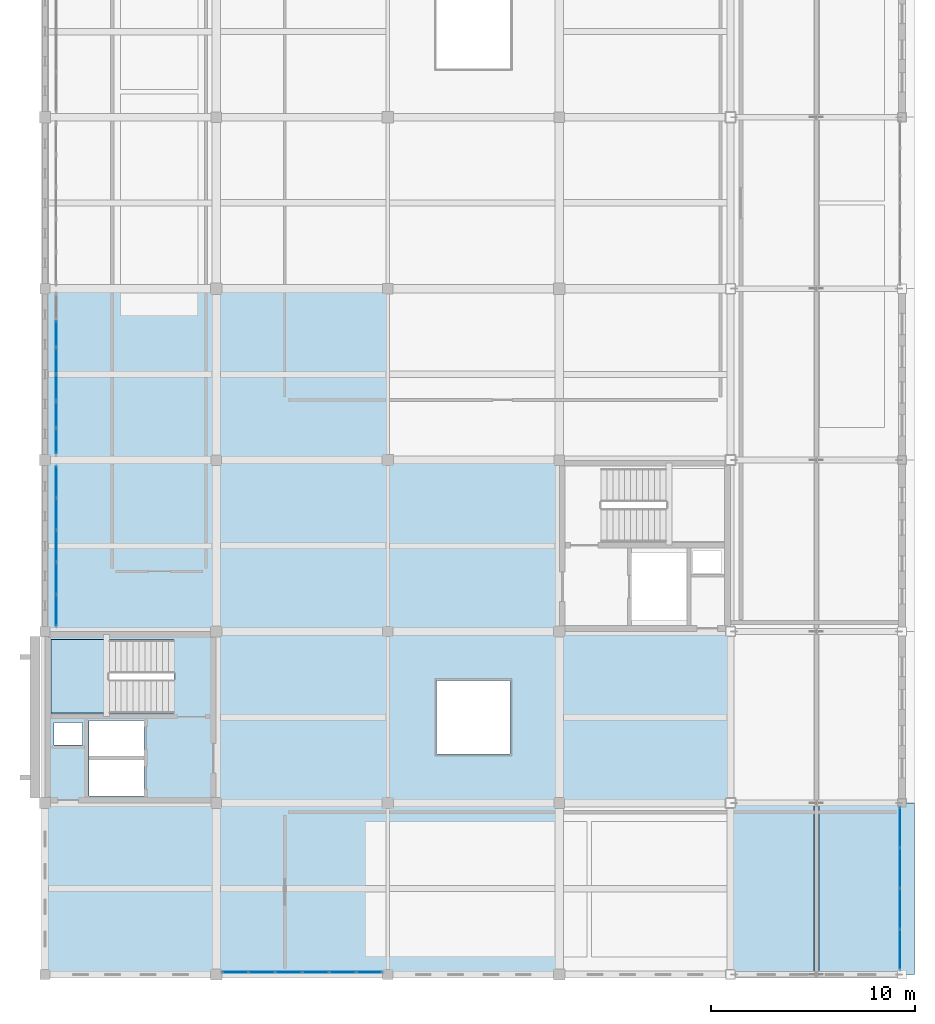
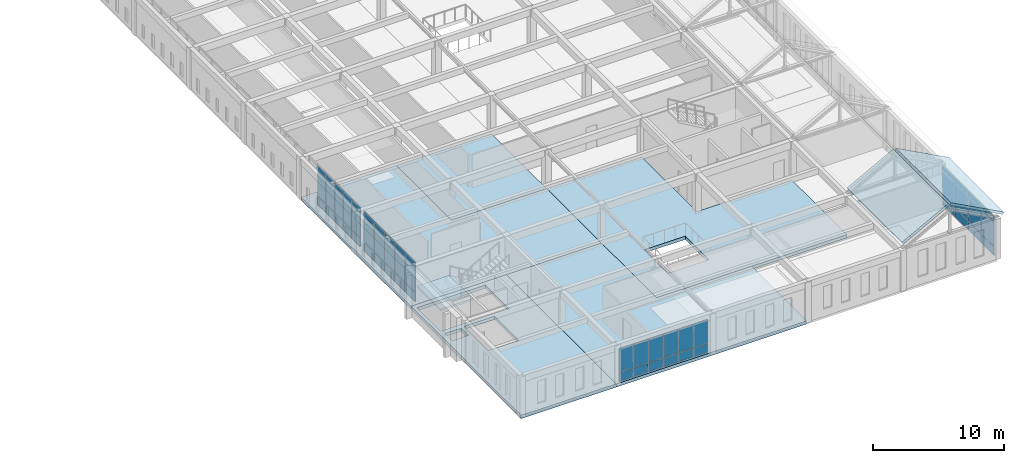
# One storey, part 19 of 36: 54 plates, 8 slabs, 5 elements without a shape of their own.
"""IFC4 building model written with IfcOpenShell, lengths in metres."""

import ifcopenshell
import ifcopenshell.guid

model = None  # the IFC model being written
_history = None  # IfcOwnerHistory: only IFC2X3 demands one
_inside = {}  # id of a spatial element -> (the spatial element, [elements in it])
_under = {}  # id of a project, library or spatial element -> (it, [spatial elements below it])
_declared = {}  # id of a project -> (the project, [libraries it declares])
_typed = {}  # id of a type object -> (the type object, [elements of that type])
_made_of = {}  # id of a material, layer set ... -> (it, [elements and type objects made of it])


def new_model(schema):
    """Start an empty IFC model of exactly this schema.

    Asked for "IFC4X3", IfcOpenShell would pick the latest addendum, in which some entities
    have other attributes; the version numbers below select the first issue.
    IFC2X3 requires an IfcOwnerHistory on every rooted entity: one is made here for all.
    """
    global model, _history
    if schema == "IFC4X3":
        model = ifcopenshell.file(schema_version=(4, 3, 0, 0))
    else:
        model = ifcopenshell.file(schema=schema)
    _inside.clear()
    _under.clear()
    _declared.clear()
    _typed.clear()
    _made_of.clear()
    _history = None
    if model.schema == "IFC2X3":
        org = make("IfcOrganization", Name="unknown")
        user = make(
            "IfcPersonAndOrganization",
            ThePerson=make("IfcPerson", FamilyName="unknown"),
            TheOrganization=org,
        )
        app = make(
            "IfcApplication",
            ApplicationDeveloper=org,
            Version="unknown",
            ApplicationFullName="unknown",
            ApplicationIdentifier="unknown",
        )
        _history = make(
            "IfcOwnerHistory",
            OwningUser=user,
            OwningApplication=app,
            ChangeAction="ADDED",
            CreationDate=0,
        )
    return model


def make(cls, **values):
    """One entity of the class cls with the attributes given. An attribute that is None is left unset."""
    return model.create_entity(
        cls, **{name: value for name, value in values.items() if value is not None}
    )


def rooted(cls, **values):
    """An entity with a GlobalId (a new one), such as an element, a storey or a relation."""
    return make(cls, GlobalId=ifcopenshell.guid.new(), OwnerHistory=_history, **values)


def si_unit(unit_type, name, prefix=None):
    """IfcSIUnit, for example si_unit("LENGTHUNIT", "METRE", prefix="MILLI")."""
    return make("IfcSIUnit", UnitType=unit_type, Prefix=prefix, Name=name)


def assignment(units):
    """IfcUnitAssignment: the units of a project."""
    return None if units is None else make("IfcUnitAssignment", Units=units)


def point(xyz):
    """IfcCartesianPoint."""
    return None if xyz is None else make("IfcCartesianPoint", Coordinates=xyz)


def direction(xyz):
    """IfcDirection."""
    return None if xyz is None else make("IfcDirection", DirectionRatios=xyz)


def frame(location, z_axis=None, x_axis=None):
    """IfcAxis2Placement3D, a coordinate frame: its origin and axes. An axis left out is left unset."""
    return make(
        "IfcAxis2Placement3D",
        Location=point(location),
        Axis=direction(z_axis),
        RefDirection=direction(x_axis),
    )


def frame_2d(location, x_axis=None):
    """IfcAxis2Placement2D, a coordinate frame in the plane: its origin and x axis."""
    return make(
        "IfcAxis2Placement2D", Location=point(location), RefDirection=direction(x_axis)
    )


def origin():
    """The frame at (0, 0, 0) with its axes left unset."""
    return frame((0.0, 0.0, 0.0))


def origin_2d():
    """The frame at (0, 0) in the plane with its x axis left unset."""
    return frame_2d((0.0, 0.0))


def place(relative_to, where):
    """IfcLocalPlacement: puts the frame where relative to a parent placement (None: the world)."""
    return make(
        "IfcLocalPlacement", PlacementRelTo=relative_to, RelativePlacement=where
    )


def context(
    kind, dimensions, precision=None, world=None, true_north=None, identifier=None
):
    """IfcGeometricRepresentationContext, for example the 3D "Model" context."""
    return make(
        "IfcGeometricRepresentationContext",
        ContextIdentifier=identifier,
        ContextType=kind,
        CoordinateSpaceDimension=dimensions,
        Precision=precision,
        WorldCoordinateSystem=world,
        TrueNorth=true_north,
    )


def subcontext(parent, identifier, kind, view, scale=None):
    """IfcGeometricRepresentationSubContext, for example "Body" below "Model"."""
    return make(
        "IfcGeometricRepresentationSubContext",
        ContextIdentifier=identifier,
        ContextType=kind,
        ParentContext=parent,
        TargetScale=scale,
        TargetView=view,
    )


def project(units=None, contexts=None):
    """IfcProject with its units and contexts."""
    return rooted(
        "IfcProject",
        Name="project",
        RepresentationContexts=contexts,
        UnitsInContext=assignment(units),
    )


def spatial(cls, under=None, at=None, **own):
    """A site, building, storey or space (cls), placed at a placement, below another one or the project."""
    s = rooted(cls, ObjectPlacement=at, **own)
    if under is not None:
        _under.setdefault(under.id(), (under, []))[1].append(s)
    return s


def polyline(points):
    """IfcPolyline through the points."""
    return make("IfcPolyline", Points=[point(p) for p in points])


def profile(cls, at=None, kind="AREA", **sizes):
    """A parametric profile (cls). Its sizes go by their IFC names, for example OverallWidth=200.0."""
    return make(cls, ProfileType=kind, Position=at, **sizes)


def rectangle(**sizes):
    """IfcRectangleProfileDef."""
    return profile("IfcRectangleProfileDef", **sizes)


def outline(outer, holes=None, kind="AREA"):
    """IfcArbitraryClosedProfileDef: a profile drawn as a closed curve; with holes, ...WithVoids."""
    if holes is None:
        return make("IfcArbitraryClosedProfileDef", ProfileType=kind, OuterCurve=outer)
    return make(
        "IfcArbitraryProfileDefWithVoids",
        ProfileType=kind,
        OuterCurve=outer,
        InnerCurves=holes,
    )


def extrude(swept, where, along, depth):
    """IfcExtrudedAreaSolid: the profile swept, set in the frame where, extruded along a direction by depth."""
    return make(
        "IfcExtrudedAreaSolid",
        SweptArea=swept,
        Position=where,
        ExtrudedDirection=direction(along),
        Depth=depth,
    )


def shape(context_of_items, identifier, shape_type, items):
    """IfcShapeRepresentation: the items that make up one representation, for example the "Body"."""
    return make(
        "IfcShapeRepresentation",
        ContextOfItems=context_of_items,
        RepresentationIdentifier=identifier,
        RepresentationType=shape_type,
        Items=items,
    )


def material(Name=None, Category=None):
    """IfcMaterial."""
    return make("IfcMaterial", Name=Name, Category=Category)


def layer(
    of_material, thickness, ventilated=None, Name=None, Category=None, Priority=None
):
    """IfcMaterialLayer: one layer of a wall or slab, of a material (None: an air gap)."""
    return make(
        "IfcMaterialLayer",
        Material=of_material,
        LayerThickness=thickness,
        IsVentilated=ventilated,
        Name=Name,
        Category=Category,
        Priority=Priority,
    )


def layer_set(layers, Name=None):
    """IfcMaterialLayerSet."""
    return make("IfcMaterialLayerSet", MaterialLayers=layers, LayerSetName=Name)


def made_of(thing, what):
    """Note that an element or type object is made of a material, layer set ...; save() writes the relation."""
    if what is not None:
        _made_of.setdefault(what.id(), (what, []))[1].append(thing)
    return thing


def type_object(cls, material=None, **own):
    """A type object (cls), such as IfcWallType, which elements share."""
    return made_of(rooted(cls, **own), material)


def element(
    cls,
    number,
    at=None,
    inside=None,
    cuts=None,
    type_object=None,
    material=None,
    context=None,
    identifier="Body",
    shape_type=None,
    held_by="IfcProductDefinitionShape",
    body=None,
    shapes=None,
    **own,
):
    """One element of the class cls, such as IfcWall. Its Tag is "e" and its number.

    at: its placement. inside: the storey or other place that contains it. cuts: it is an
    opening in that element (IfcRelVoidsElement). A single representation is given by context,
    identifier, shape_type and body (its items); several are given by shapes. held_by: the class
    of the entity that holds the representations. save() writes the other relations.
    """
    e = rooted(cls, Tag="e%d" % number, ObjectPlacement=at, **own)
    if body is not None:
        shapes = [shape(context, identifier, shape_type, body)]
    if shapes is not None:
        e.Representation = make(held_by, Representations=shapes)
    if inside is not None:
        _inside.setdefault(inside.id(), (inside, []))[1].append(e)
    if cuts is not None:
        rooted(
            "IfcRelVoidsElement", RelatingBuildingElement=cuts, RelatedOpeningElement=e
        )
    if type_object is not None:
        _typed.setdefault(type_object.id(), (type_object, []))[1].append(e)
    return made_of(e, material)


def aggregate(whole, parts):
    """IfcRelAggregates: a whole, such as a stair, and the parts it consists of."""
    return rooted("IfcRelAggregates", RelatingObject=whole, RelatedObjects=parts)


def save(model, path):
    """Write the relations noted so far, then the file.

    IfcRelAggregates (storeys below a building ...), IfcRelContainedInSpatialStructure (elements
    in a storey), IfcRelDefinesByType, IfcRelAssociatesMaterial and IfcRelDeclares: one each for
    every whole, place, type object, material and project.
    """
    for whole, parts in _under.values():
        aggregate(whole, parts)
    for where, things in _inside.values():
        rooted(
            "IfcRelContainedInSpatialStructure",
            RelatedElements=things,
            RelatingStructure=where,
        )
    for kind, things in _typed.values():
        rooted("IfcRelDefinesByType", RelatedObjects=things, RelatingType=kind)
    for what, things in _made_of.values():
        rooted("IfcRelAssociatesMaterial", RelatedObjects=things, RelatingMaterial=what)
    for by, libraries in _declared.values():
        rooted("IfcRelDeclares", RelatingContext=by, RelatedDefinitions=libraries)
    model.write(path)


model = new_model("IFC4")

# Units and contexts
model_context = context("Model", 3, precision=1e-05, world=origin(), true_north=direction((0.0, 1.0)))
body_context = subcontext(model_context, "Body", "Model", "MODEL_VIEW")
ifc_project = project(units=[si_unit("LENGTHUNIT", "METRE"), si_unit("AREAUNIT", "SQUARE_METRE"), si_unit("VOLUMEUNIT", "CUBIC_METRE"), si_unit("PLANEANGLEUNIT", "RADIAN"), si_unit("MASSUNIT", "GRAM", prefix="KILO")], contexts=[model_context])

# Site, building, storey
site_placement = place(None, origin())
site = spatial("IfcSite", under=ifc_project, at=site_placement, CompositionType="ELEMENT")
building_placement = place(site_placement, origin())
building = spatial("IfcBuilding", under=site, at=building_placement, Name="Kveldsbrygga Polytechnic", CompositionType="ELEMENT")
storey_placement = place(building_placement, frame((0.0, 0.0, 22.10009765625)))
storey = spatial("IfcBuildingStorey", under=building, at=storey_placement, Name="L05", CompositionType="ELEMENT", Elevation=22.10009765625)

# Curtain wall, plates
ifc_material_1 = material(Name="Anodised aluminium AW-6060", Category="aluminium")
ifc_layer_1 = layer(ifc_material_1, 0.179931640625)
ifc_layer_set_1 = layer_set([ifc_layer_1], Name="Anodised aluminium AW-6060")
curtain_wall_type_1 = type_object("IfcCurtainWallType", Name="CW-CONC-A", PredefinedType="USERDEFINED", material=ifc_layer_set_1)
curtain_wall_1_placement = place(storey_placement, origin())
curtain_wall_1 = element("IfcCurtainWall", 1, at=curtain_wall_1_placement, inside=storey, type_object=curtain_wall_type_1, Name="Curtain Wall CW-L05-X-16-02", ObjectType="UNITISED CURTAIN WALL", PredefinedType="USERDEFINED")
ifc_material_2 = material(Name="Insulated triple low-E glass", Category="glass")
ifc_layer_2 = layer(ifc_material_2, 0.035888671875)
ifc_layer_set_2 = layer_set([ifc_layer_2], Name="Insulated triple low-E glass")
plate_type_1 = type_object("IfcPlateType", Name="CW-PAN-VIS36", PredefinedType="CURTAIN_PANEL", material=ifc_layer_set_2)
plate_1_placement = place(storey_placement, frame((135.333740234375, 16.89990234375, 0.059814453125), z_axis=(0.0, 0.0, 1.0), x_axis=(1.0, 0.0, 0.0)))
plate_1 = element("IfcPlate", 2, at=plate_1_placement, type_object=plate_type_1, Name="CW-01 panel 1.1", PredefinedType="CURTAIN_PANEL", context=body_context, shape_type="SweptSolid", body=[
    extrude(rectangle(XDim=1.2275390625, YDim=0.035888671875, at=origin_2d()), origin(), (0.0, 0.0, 1.0), 0.81005859375),
])
plate_2_placement = place(storey_placement, frame((135.333740234375, 16.89990234375, 0.929931640625), z_axis=(0.0, 0.0, 1.0), x_axis=(1.0, 0.0, 0.0)))
plate_2 = element("IfcPlate", 3, at=plate_2_placement, type_object=plate_type_1, Name="CW-01 panel 1.2", PredefinedType="CURTAIN_PANEL", context=body_context, shape_type="SweptSolid", body=[
    extrude(rectangle(XDim=1.2275390625, YDim=0.035888671875, at=origin_2d()), origin(), (0.0, 0.0, 1.0), 2.18994140625),
])
plate_3_placement = place(storey_placement, frame((136.63623046875, 16.89990234375, 0.059814453125), z_axis=(0.0, 0.0, 1.0), x_axis=(1.0, 0.0, 0.0)))
plate_3 = element("IfcPlate", 4, at=plate_3_placement, type_object=plate_type_1, Name="CW-01 panel 2.1", PredefinedType="CURTAIN_PANEL", context=body_context, shape_type="SweptSolid", body=[
    extrude(rectangle(XDim=1.257568359375, YDim=0.035888671875, at=origin_2d()), origin(), (0.0, 0.0, 1.0), 0.81005859375),
])
plate_4_placement = place(storey_placement, frame((136.63623046875, 16.89990234375, 0.929931640625), z_axis=(0.0, 0.0, 1.0), x_axis=(1.0, 0.0, 0.0)))
plate_4 = element("IfcPlate", 5, at=plate_4_placement, type_object=plate_type_1, Name="CW-01 panel 2.2", PredefinedType="CURTAIN_PANEL", context=body_context, shape_type="SweptSolid", body=[
    extrude(rectangle(XDim=1.257568359375, YDim=0.035888671875, at=origin_2d()), origin(), (0.0, 0.0, 1.0), 2.18994140625),
])
plate_5_placement = place(storey_placement, frame((137.953857421875, 16.89990234375, 0.059814453125), z_axis=(0.0, 0.0, 1.0), x_axis=(1.0, 0.0, 0.0)))
plate_5 = element("IfcPlate", 6, at=plate_5_placement, type_object=plate_type_1, Name="CW-01 panel 3.1", PredefinedType="CURTAIN_PANEL", context=body_context, shape_type="SweptSolid", body=[
    extrude(rectangle(XDim=1.257568359375, YDim=0.035888671875, at=origin_2d()), origin(), (0.0, 0.0, 1.0), 0.81005859375),
])
plate_6_placement = place(storey_placement, frame((137.953857421875, 16.89990234375, 0.929931640625), z_axis=(0.0, 0.0, 1.0), x_axis=(1.0, 0.0, 0.0)))
plate_6 = element("IfcPlate", 7, at=plate_6_placement, type_object=plate_type_1, Name="CW-01 panel 3.2", PredefinedType="CURTAIN_PANEL", context=body_context, shape_type="SweptSolid", body=[
    extrude(rectangle(XDim=1.257568359375, YDim=0.035888671875, at=origin_2d()), origin(), (0.0, 0.0, 1.0), 2.18994140625),
])
plate_7_placement = place(storey_placement, frame((139.271240234375, 16.89990234375, 0.059814453125), z_axis=(0.0, 0.0, 1.0), x_axis=(1.0, 0.0, 0.0)))
plate_7 = element("IfcPlate", 8, at=plate_7_placement, type_object=plate_type_1, Name="CW-01 panel 4.1", PredefinedType="CURTAIN_PANEL", context=body_context, shape_type="SweptSolid", body=[
    extrude(rectangle(XDim=1.257568359375, YDim=0.035888671875, at=origin_2d()), origin(), (0.0, 0.0, 1.0), 0.81005859375),
])
plate_8_placement = place(storey_placement, frame((139.271240234375, 16.89990234375, 0.929931640625), z_axis=(0.0, 0.0, 1.0), x_axis=(1.0, 0.0, 0.0)))
plate_8 = element("IfcPlate", 9, at=plate_8_placement, type_object=plate_type_1, Name="CW-01 panel 4.2", PredefinedType="CURTAIN_PANEL", context=body_context, shape_type="SweptSolid", body=[
    extrude(rectangle(XDim=1.257568359375, YDim=0.035888671875, at=origin_2d()), origin(), (0.0, 0.0, 1.0), 2.18994140625),
])
plate_9_placement = place(storey_placement, frame((140.5888671875, 16.89990234375, 0.059814453125), z_axis=(0.0, 0.0, 1.0), x_axis=(1.0, 0.0, 0.0)))
plate_9 = element("IfcPlate", 10, at=plate_9_placement, type_object=plate_type_1, Name="CW-01 panel 5.1", PredefinedType="CURTAIN_PANEL", context=body_context, shape_type="SweptSolid", body=[
    extrude(rectangle(XDim=1.257568359375, YDim=0.035888671875, at=origin_2d()), origin(), (0.0, 0.0, 1.0), 0.81005859375),
])
plate_10_placement = place(storey_placement, frame((140.5888671875, 16.89990234375, 0.929931640625), z_axis=(0.0, 0.0, 1.0), x_axis=(1.0, 0.0, 0.0)))
plate_10 = element("IfcPlate", 11, at=plate_10_placement, type_object=plate_type_1, Name="CW-01 panel 5.2", PredefinedType="CURTAIN_PANEL", context=body_context, shape_type="SweptSolid", body=[
    extrude(rectangle(XDim=1.257568359375, YDim=0.035888671875, at=origin_2d()), origin(), (0.0, 0.0, 1.0), 2.18994140625),
])
plate_11_placement = place(storey_placement, frame((141.891357421875, 16.89990234375, 0.059814453125), z_axis=(0.0, 0.0, 1.0), x_axis=(1.0, 0.0, 0.0)))
plate_11 = element("IfcPlate", 12, at=plate_11_placement, type_object=plate_type_1, Name="CW-01 panel 6.1", PredefinedType="CURTAIN_PANEL", context=body_context, shape_type="SweptSolid", body=[
    extrude(rectangle(XDim=1.2275390625, YDim=0.035888671875, at=origin_2d()), origin(), (0.0, 0.0, 1.0), 0.81005859375),
])
plate_12_placement = place(storey_placement, frame((141.891357421875, 16.89990234375, 0.929931640625), z_axis=(0.0, 0.0, 1.0), x_axis=(1.0, 0.0, 0.0)))
plate_12 = element("IfcPlate", 13, at=plate_12_placement, type_object=plate_type_1, Name="CW-01 panel 6.2", PredefinedType="CURTAIN_PANEL", context=body_context, shape_type="SweptSolid", body=[
    extrude(rectangle(XDim=1.2275390625, YDim=0.035888671875, at=origin_2d()), origin(), (0.0, 0.0, 1.0), 2.18994140625),
])
aggregate(curtain_wall_1, [plate_1, plate_2, plate_3, plate_4, plate_5, plate_6, plate_7, plate_8, plate_9, plate_10, plate_11, plate_12])

ifc_layer_3 = layer(ifc_material_1, 0.199951171875)
ifc_layer_set_3 = layer_set([ifc_layer_3], Name="Anodised aluminium AW-6060")
curtain_wall_type_2 = type_object("IfcCurtainWallType", Name="CW-CONC-B", PredefinedType="USERDEFINED", material=ifc_layer_set_3)
curtain_wall_2_placement = place(storey_placement, origin())
curtain_wall_2 = element("IfcCurtainWall", 14, at=curtain_wall_2_placement, inside=storey, type_object=curtain_wall_type_2, Name="Curtain Wall CW-L05-Y-15-04", ObjectType="UNITISED CURTAIN WALL", PredefinedType="USERDEFINED")
ifc_layer_4 = layer(ifc_material_2, 0.0419921875)
ifc_layer_set_4 = layer_set([ifc_layer_4], Name="Insulated triple low-E glass")
plate_type_2 = type_object("IfcPlateType", Name="CW-PAN-VIS42", PredefinedType="CURTAIN_PANEL", material=ifc_layer_set_4)
plate_13_placement = place(storey_placement, frame((126.550048828125, 34.640380859375, 0.059814453125), z_axis=(0.0, 0.0, 1.0), x_axis=(0.0, 1.0, 0.0)))
plate_13 = element("IfcPlate", 15, at=plate_13_placement, type_object=plate_type_2, Name="CW-02 panel 1.1", PredefinedType="CURTAIN_PANEL", context=body_context, shape_type="SweptSolid", body=[
    extrude(rectangle(XDim=1.490966796875, YDim=0.0419921875, at=origin_2d()), origin(), (0.0, 0.0, 1.0), 0.81005859375),
])
plate_14_placement = place(storey_placement, frame((126.550048828125, 34.640380859375, 0.929931640625), z_axis=(0.0, 0.0, 1.0), x_axis=(0.0, 1.0, 0.0)))
plate_14 = element("IfcPlate", 16, at=plate_14_placement, type_object=plate_type_2, Name="CW-02 panel 1.2", PredefinedType="CURTAIN_PANEL", context=body_context, shape_type="SweptSolid", body=[
    extrude(rectangle(XDim=1.490966796875, YDim=0.0419921875, at=origin_2d()), origin(), (0.0, 0.0, 1.0), 2.27001953125),
])
plate_15_placement = place(storey_placement, frame((126.550048828125, 34.640380859375, 3.260009765625), z_axis=(0.0, 0.0, 1.0), x_axis=(0.0, 1.0, 0.0)))
plate_15 = element("IfcPlate", 17, at=plate_15_placement, type_object=plate_type_2, Name="CW-02 panel 1.3", PredefinedType="CURTAIN_PANEL", context=body_context, shape_type="SweptSolid", body=[
    extrude(rectangle(XDim=1.490966796875, YDim=0.0419921875, at=origin_2d()), origin(), (0.0, 0.0, 1.0), 0.4599609375),
])
plate_16_placement = place(storey_placement, frame((126.550048828125, 36.20654296875, 0.059814453125), z_axis=(0.0, 0.0, 1.0), x_axis=(0.0, 1.0, 0.0)))
plate_16 = element("IfcPlate", 18, at=plate_16_placement, type_object=plate_type_2, Name="CW-02 panel 2.1", PredefinedType="CURTAIN_PANEL", context=body_context, shape_type="SweptSolid", body=[
    extrude(rectangle(XDim=1.52099609375, YDim=0.0419921875, at=origin_2d()), origin(), (0.0, 0.0, 1.0), 0.81005859375),
])
plate_17_placement = place(storey_placement, frame((126.550048828125, 36.20654296875, 0.929931640625), z_axis=(0.0, 0.0, 1.0), x_axis=(0.0, 1.0, 0.0)))
plate_17 = element("IfcPlate", 19, at=plate_17_placement, type_object=plate_type_2, Name="CW-02 panel 2.2", PredefinedType="CURTAIN_PANEL", context=body_context, shape_type="SweptSolid", body=[
    extrude(rectangle(XDim=1.52099609375, YDim=0.0419921875, at=origin_2d()), origin(), (0.0, 0.0, 1.0), 2.27001953125),
])
plate_18_placement = place(storey_placement, frame((126.550048828125, 36.20654296875, 3.260009765625), z_axis=(0.0, 0.0, 1.0), x_axis=(0.0, 1.0, 0.0)))
plate_18 = element("IfcPlate", 20, at=plate_18_placement, type_object=plate_type_2, Name="CW-02 panel 2.3", PredefinedType="CURTAIN_PANEL", context=body_context, shape_type="SweptSolid", body=[
    extrude(rectangle(XDim=1.52099609375, YDim=0.0419921875, at=origin_2d()), origin(), (0.0, 0.0, 1.0), 0.4599609375),
])
plate_19_placement = place(storey_placement, frame((126.550048828125, 37.78759765625, 0.059814453125), z_axis=(0.0, 0.0, 1.0), x_axis=(0.0, 1.0, 0.0)))
plate_19 = element("IfcPlate", 21, at=plate_19_placement, type_object=plate_type_2, Name="CW-02 panel 3.1", PredefinedType="CURTAIN_PANEL", context=body_context, shape_type="SweptSolid", body=[
    extrude(rectangle(XDim=1.52099609375, YDim=0.0419921875, at=origin_2d()), origin(), (0.0, 0.0, 1.0), 0.81005859375),
])
plate_20_placement = place(storey_placement, frame((126.550048828125, 37.78759765625, 0.929931640625), z_axis=(0.0, 0.0, 1.0), x_axis=(0.0, 1.0, 0.0)))
plate_20 = element("IfcPlate", 22, at=plate_20_placement, type_object=plate_type_2, Name="CW-02 panel 3.2", PredefinedType="CURTAIN_PANEL", context=body_context, shape_type="SweptSolid", body=[
    extrude(rectangle(XDim=1.52099609375, YDim=0.0419921875, at=origin_2d()), origin(), (0.0, 0.0, 1.0), 2.27001953125),
])
plate_21_placement = place(storey_placement, frame((126.550048828125, 37.78759765625, 3.260009765625), z_axis=(0.0, 0.0, 1.0), x_axis=(0.0, 1.0, 0.0)))
plate_21 = element("IfcPlate", 23, at=plate_21_placement, type_object=plate_type_2, Name="CW-02 panel 3.3", PredefinedType="CURTAIN_PANEL", context=body_context, shape_type="SweptSolid", body=[
    extrude(rectangle(XDim=1.52099609375, YDim=0.0419921875, at=origin_2d()), origin(), (0.0, 0.0, 1.0), 0.4599609375),
])
plate_22_placement = place(storey_placement, frame((126.550048828125, 39.368408203125, 0.059814453125), z_axis=(0.0, 0.0, 1.0), x_axis=(0.0, 1.0, 0.0)))
plate_22 = element("IfcPlate", 24, at=plate_22_placement, type_object=plate_type_2, Name="CW-02 panel 4.1", PredefinedType="CURTAIN_PANEL", context=body_context, shape_type="SweptSolid", body=[
    extrude(rectangle(XDim=1.52099609375, YDim=0.0419921875, at=origin_2d()), origin(), (0.0, 0.0, 1.0), 0.81005859375),
])
plate_23_placement = place(storey_placement, frame((126.550048828125, 39.368408203125, 0.929931640625), z_axis=(0.0, 0.0, 1.0), x_axis=(0.0, 1.0, 0.0)))
plate_23 = element("IfcPlate", 25, at=plate_23_placement, type_object=plate_type_2, Name="CW-02 panel 4.2", PredefinedType="CURTAIN_PANEL", context=body_context, shape_type="SweptSolid", body=[
    extrude(rectangle(XDim=1.52099609375, YDim=0.0419921875, at=origin_2d()), origin(), (0.0, 0.0, 1.0), 2.27001953125),
])
plate_24_placement = place(storey_placement, frame((126.550048828125, 39.368408203125, 3.260009765625), z_axis=(0.0, 0.0, 1.0), x_axis=(0.0, 1.0, 0.0)))
plate_24 = element("IfcPlate", 26, at=plate_24_placement, type_object=plate_type_2, Name="CW-02 panel 4.3", PredefinedType="CURTAIN_PANEL", context=body_context, shape_type="SweptSolid", body=[
    extrude(rectangle(XDim=1.52099609375, YDim=0.0419921875, at=origin_2d()), origin(), (0.0, 0.0, 1.0), 0.4599609375),
])
plate_25_placement = place(storey_placement, frame((126.550048828125, 40.9345703125, 0.059814453125), z_axis=(0.0, 0.0, 1.0), x_axis=(0.0, 1.0, 0.0)))
plate_25 = element("IfcPlate", 27, at=plate_25_placement, type_object=plate_type_2, Name="CW-02 panel 5.1", PredefinedType="CURTAIN_PANEL", context=body_context, shape_type="SweptSolid", body=[
    extrude(rectangle(XDim=1.490966796875, YDim=0.0419921875, at=origin_2d()), origin(), (0.0, 0.0, 1.0), 0.81005859375),
])
plate_26_placement = place(storey_placement, frame((126.550048828125, 40.9345703125, 0.929931640625), z_axis=(0.0, 0.0, 1.0), x_axis=(0.0, 1.0, 0.0)))
plate_26 = element("IfcPlate", 28, at=plate_26_placement, type_object=plate_type_2, Name="CW-02 panel 5.2", PredefinedType="CURTAIN_PANEL", context=body_context, shape_type="SweptSolid", body=[
    extrude(rectangle(XDim=1.490966796875, YDim=0.0419921875, at=origin_2d()), origin(), (0.0, 0.0, 1.0), 2.27001953125),
])
plate_27_placement = place(storey_placement, frame((126.550048828125, 40.9345703125, 3.260009765625), z_axis=(0.0, 0.0, 1.0), x_axis=(0.0, 1.0, 0.0)))
plate_27 = element("IfcPlate", 29, at=plate_27_placement, type_object=plate_type_2, Name="CW-02 panel 5.3", PredefinedType="CURTAIN_PANEL", context=body_context, shape_type="SweptSolid", body=[
    extrude(rectangle(XDim=1.490966796875, YDim=0.0419921875, at=origin_2d()), origin(), (0.0, 0.0, 1.0), 0.4599609375),
])
aggregate(curtain_wall_2, [plate_13, plate_14, plate_15, plate_16, plate_17, plate_18, plate_19, plate_20, plate_21, plate_22, plate_23, plate_24, plate_25, plate_26, plate_27])

ifc_layer_5 = layer(ifc_material_1, 0.199951171875)
ifc_layer_set_5 = layer_set([ifc_layer_5], Name="Anodised aluminium AW-6060")
curtain_wall_type_3 = type_object("IfcCurtainWallType", Name="CW-LANC-E", PredefinedType="USERDEFINED", material=ifc_layer_set_5)
curtain_wall_3_placement = place(storey_placement, origin())
curtain_wall_3 = element("IfcCurtainWall", 30, at=curtain_wall_3_placement, inside=storey, type_object=curtain_wall_type_3, Name="Curtain Wall CW-L05-Y-20-02", ObjectType="UNITISED CURTAIN WALL", PredefinedType="USERDEFINED")
plate_28_placement = place(storey_placement, frame((167.89990234375, 18.025634765625, 0.059814453125), z_axis=(0.0, 0.0, 1.0), x_axis=(0.0, 1.0, 0.0)))
plate_28 = element("IfcPlate", 31, at=plate_28_placement, type_object=plate_type_2, Name="CW-05 panel 1.1", PredefinedType="CURTAIN_PANEL", context=body_context, shape_type="SweptSolid", body=[
    extrude(rectangle(XDim=1.9111328125, YDim=0.0419921875, at=origin_2d()), origin(), (0.0, 0.0, 1.0), 0.81005859375),
])
plate_29_placement = place(storey_placement, frame((167.89990234375, 18.025634765625, 0.929931640625), z_axis=(0.0, 0.0, 1.0), x_axis=(0.0, 1.0, 0.0)))
plate_29 = element("IfcPlate", 32, at=plate_29_placement, type_object=plate_type_2, Name="CW-05 panel 1.2", PredefinedType="CURTAIN_PANEL", context=body_context, shape_type="SweptSolid", body=[
    extrude(rectangle(XDim=1.9111328125, YDim=0.0419921875, at=origin_2d()), origin(), (0.0, 0.0, 1.0), 2.27001953125),
])
plate_30_placement = place(storey_placement, frame((167.89990234375, 18.025634765625, 3.260009765625), z_axis=(0.0, 0.0, 1.0), x_axis=(0.0, 1.0, 0.0)))
plate_30 = element("IfcPlate", 33, at=plate_30_placement, type_object=plate_type_2, Name="CW-05 panel 1.3", PredefinedType="CURTAIN_PANEL", context=body_context, shape_type="SweptSolid", body=[
    extrude(rectangle(XDim=1.9111328125, YDim=0.0419921875, at=origin_2d()), origin(), (0.0, 0.0, 1.0), 0.4599609375),
])
plate_31_placement = place(storey_placement, frame((167.89990234375, 20.011962890625, 0.059814453125), z_axis=(0.0, 0.0, 1.0), x_axis=(0.0, 1.0, 0.0)))
plate_31 = element("IfcPlate", 34, at=plate_31_placement, type_object=plate_type_2, Name="CW-05 panel 2.1", PredefinedType="CURTAIN_PANEL", context=body_context, shape_type="SweptSolid", body=[
    extrude(rectangle(XDim=1.941162109375, YDim=0.0419921875, at=origin_2d()), origin(), (0.0, 0.0, 1.0), 0.81005859375),
])
plate_32_placement = place(storey_placement, frame((167.89990234375, 20.011962890625, 0.929931640625), z_axis=(0.0, 0.0, 1.0), x_axis=(0.0, 1.0, 0.0)))
plate_32 = element("IfcPlate", 35, at=plate_32_placement, type_object=plate_type_2, Name="CW-05 panel 2.2", PredefinedType="CURTAIN_PANEL", context=body_context, shape_type="SweptSolid", body=[
    extrude(rectangle(XDim=1.941162109375, YDim=0.0419921875, at=origin_2d()), origin(), (0.0, 0.0, 1.0), 2.27001953125),
])
plate_33_placement = place(storey_placement, frame((167.89990234375, 20.011962890625, 3.260009765625), z_axis=(0.0, 0.0, 1.0), x_axis=(0.0, 1.0, 0.0)))
plate_33 = element("IfcPlate", 36, at=plate_33_placement, type_object=plate_type_2, Name="CW-05 panel 2.3", PredefinedType="CURTAIN_PANEL", context=body_context, shape_type="SweptSolid", body=[
    extrude(rectangle(XDim=1.941162109375, YDim=0.0419921875, at=origin_2d()), origin(), (0.0, 0.0, 1.0), 0.4599609375),
])
plate_34_placement = place(storey_placement, frame((167.89990234375, 22.01318359375, 0.059814453125), z_axis=(0.0, 0.0, 1.0), x_axis=(0.0, 1.0, 0.0)))
plate_34 = element("IfcPlate", 37, at=plate_34_placement, type_object=plate_type_2, Name="CW-05 panel 3.1", PredefinedType="CURTAIN_PANEL", context=body_context, shape_type="SweptSolid", body=[
    extrude(rectangle(XDim=1.941162109375, YDim=0.0419921875, at=origin_2d()), origin(), (0.0, 0.0, 1.0), 0.81005859375),
])
plate_35_placement = place(storey_placement, frame((167.89990234375, 22.01318359375, 0.929931640625), z_axis=(0.0, 0.0, 1.0), x_axis=(0.0, 1.0, 0.0)))
plate_35 = element("IfcPlate", 38, at=plate_35_placement, type_object=plate_type_2, Name="CW-05 panel 3.2", PredefinedType="CURTAIN_PANEL", context=body_context, shape_type="SweptSolid", body=[
    extrude(rectangle(XDim=1.941162109375, YDim=0.0419921875, at=origin_2d()), origin(), (0.0, 0.0, 1.0), 2.27001953125),
])
plate_36_placement = place(storey_placement, frame((167.89990234375, 22.01318359375, 3.260009765625), z_axis=(0.0, 0.0, 1.0), x_axis=(0.0, 1.0, 0.0)))
plate_36 = element("IfcPlate", 39, at=plate_36_placement, type_object=plate_type_2, Name="CW-05 panel 3.3", PredefinedType="CURTAIN_PANEL", context=body_context, shape_type="SweptSolid", body=[
    extrude(rectangle(XDim=1.941162109375, YDim=0.0419921875, at=origin_2d()), origin(), (0.0, 0.0, 1.0), 0.4599609375),
])
plate_37_placement = place(storey_placement, frame((167.89990234375, 23.999267578125, 0.059814453125), z_axis=(0.0, 0.0, 1.0), x_axis=(0.0, 1.0, 0.0)))
plate_37 = element("IfcPlate", 40, at=plate_37_placement, type_object=plate_type_2, Name="CW-05 panel 4.1", PredefinedType="CURTAIN_PANEL", context=body_context, shape_type="SweptSolid", body=[
    extrude(rectangle(XDim=1.9111328125, YDim=0.0419921875, at=origin_2d()), origin(), (0.0, 0.0, 1.0), 0.81005859375),
])
plate_38_placement = place(storey_placement, frame((167.89990234375, 23.999267578125, 0.929931640625), z_axis=(0.0, 0.0, 1.0), x_axis=(0.0, 1.0, 0.0)))
plate_38 = element("IfcPlate", 41, at=plate_38_placement, type_object=plate_type_2, Name="CW-05 panel 4.2", PredefinedType="CURTAIN_PANEL", context=body_context, shape_type="SweptSolid", body=[
    extrude(rectangle(XDim=1.9111328125, YDim=0.0419921875, at=origin_2d()), origin(), (0.0, 0.0, 1.0), 2.27001953125),
])
plate_39_placement = place(storey_placement, frame((167.89990234375, 23.999267578125, 3.260009765625), z_axis=(0.0, 0.0, 1.0), x_axis=(0.0, 1.0, 0.0)))
plate_39 = element("IfcPlate", 42, at=plate_39_placement, type_object=plate_type_2, Name="CW-05 panel 4.3", PredefinedType="CURTAIN_PANEL", context=body_context, shape_type="SweptSolid", body=[
    extrude(rectangle(XDim=1.9111328125, YDim=0.0419921875, at=origin_2d()), origin(), (0.0, 0.0, 1.0), 0.4599609375),
])
aggregate(curtain_wall_3, [plate_28, plate_29, plate_30, plate_31, plate_32, plate_33, plate_34, plate_35, plate_36, plate_37, plate_38, plate_39])

ifc_layer_6 = layer(ifc_material_1, 0.159912109375)
ifc_layer_set_6 = layer_set([ifc_layer_6], Name="Anodised aluminium AW-6060")
curtain_wall_type_4 = type_object("IfcCurtainWallType", Name="CW-CLER-C", PredefinedType="USERDEFINED", material=ifc_layer_set_6)
curtain_wall_4_placement = place(storey_placement, origin())
curtain_wall_4 = element("IfcCurtainWall", 43, at=curtain_wall_4_placement, inside=storey, type_object=curtain_wall_type_4, Name="Curtain Wall CW-L05-Y-15-05", ObjectType="STICK CURTAIN WALL", PredefinedType="USERDEFINED")
ifc_layer_7 = layer(ifc_material_2, 0.048095703125)
ifc_layer_set_7 = layer_set([ifc_layer_7], Name="Insulated triple low-E glass")
plate_type_3 = type_object("IfcPlateType", Name="CW-PAN-VIS48", PredefinedType="CURTAIN_PANEL", material=ifc_layer_set_7)
plate_40_placement = place(storey_placement, frame((126.550048828125, 42.9375, 0.074951171875), z_axis=(0.0, 0.0, 1.0), x_axis=(0.0, 1.0, 0.0)))
plate_40 = element("IfcPlate", 44, at=plate_40_placement, type_object=plate_type_3, Name="CW-03 panel 1.1", PredefinedType="CURTAIN_PANEL", context=body_context, shape_type="SweptSolid", body=[
    extrude(rectangle(XDim=1.205078125, YDim=0.048095703125, at=origin_2d()), origin(), (0.0, 0.0, 1.0), 0.78759765625),
])
plate_41_placement = place(storey_placement, frame((126.550048828125, 42.9375, 0.9375), z_axis=(0.0, 0.0, 1.0), x_axis=(0.0, 1.0, 0.0)))
plate_41 = element("IfcPlate", 45, at=plate_41_placement, type_object=plate_type_3, Name="CW-03 panel 1.2", PredefinedType="CURTAIN_PANEL", context=body_context, shape_type="SweptSolid", body=[
    extrude(rectangle(XDim=1.205078125, YDim=0.048095703125, at=origin_2d()), origin(), (0.0, 0.0, 1.0), 2.2548828125),
])
plate_42_placement = place(storey_placement, frame((126.550048828125, 42.9375, 3.267333984375), z_axis=(0.0, 0.0, 1.0), x_axis=(0.0, 1.0, 0.0)))
plate_42 = element("IfcPlate", 46, at=plate_42_placement, type_object=plate_type_3, Name="CW-03 panel 1.3", PredefinedType="CURTAIN_PANEL", context=body_context, shape_type="SweptSolid", body=[
    extrude(rectangle(XDim=1.205078125, YDim=0.048095703125, at=origin_2d()), origin(), (0.0, 0.0, 1.0), 0.4375),
])
plate_43_placement = place(storey_placement, frame((126.550048828125, 44.236328125, 0.074951171875), z_axis=(0.0, 0.0, 1.0), x_axis=(0.0, 1.0, 0.0)))
plate_43 = element("IfcPlate", 47, at=plate_43_placement, type_object=plate_type_3, Name="CW-03 panel 2.1", PredefinedType="CURTAIN_PANEL", context=body_context, shape_type="SweptSolid", body=[
    extrude(rectangle(XDim=1.242431640625, YDim=0.048095703125, at=origin_2d()), origin(), (0.0, 0.0, 1.0), 0.78759765625),
])
plate_44_placement = place(storey_placement, frame((126.550048828125, 44.236328125, 0.9375), z_axis=(0.0, 0.0, 1.0), x_axis=(0.0, 1.0, 0.0)))
plate_44 = element("IfcPlate", 48, at=plate_44_placement, type_object=plate_type_3, Name="CW-03 panel 2.2", PredefinedType="CURTAIN_PANEL", context=body_context, shape_type="SweptSolid", body=[
    extrude(rectangle(XDim=1.242431640625, YDim=0.048095703125, at=origin_2d()), origin(), (0.0, 0.0, 1.0), 2.2548828125),
])
plate_45_placement = place(storey_placement, frame((126.550048828125, 44.236328125, 3.267333984375), z_axis=(0.0, 0.0, 1.0), x_axis=(0.0, 1.0, 0.0)))
plate_45 = element("IfcPlate", 49, at=plate_45_placement, type_object=plate_type_3, Name="CW-03 panel 2.3", PredefinedType="CURTAIN_PANEL", context=body_context, shape_type="SweptSolid", body=[
    extrude(rectangle(XDim=1.242431640625, YDim=0.048095703125, at=origin_2d()), origin(), (0.0, 0.0, 1.0), 0.4375),
])
plate_46_placement = place(storey_placement, frame((126.550048828125, 45.5537109375, 0.074951171875), z_axis=(0.0, 0.0, 1.0), x_axis=(0.0, 1.0, 0.0)))
plate_46 = element("IfcPlate", 50, at=plate_46_placement, type_object=plate_type_3, Name="CW-03 panel 3.1", PredefinedType="CURTAIN_PANEL", context=body_context, shape_type="SweptSolid", body=[
    extrude(rectangle(XDim=1.242431640625, YDim=0.048095703125, at=origin_2d()), origin(), (0.0, 0.0, 1.0), 0.78759765625),
])
plate_47_placement = place(storey_placement, frame((126.550048828125, 45.5537109375, 0.9375), z_axis=(0.0, 0.0, 1.0), x_axis=(0.0, 1.0, 0.0)))
plate_47 = element("IfcPlate", 51, at=plate_47_placement, type_object=plate_type_3, Name="CW-03 panel 3.2", PredefinedType="CURTAIN_PANEL", context=body_context, shape_type="SweptSolid", body=[
    extrude(rectangle(XDim=1.242431640625, YDim=0.048095703125, at=origin_2d()), origin(), (0.0, 0.0, 1.0), 2.2548828125),
])
plate_48_placement = place(storey_placement, frame((126.550048828125, 45.5537109375, 3.267333984375), z_axis=(0.0, 0.0, 1.0), x_axis=(0.0, 1.0, 0.0)))
plate_48 = element("IfcPlate", 52, at=plate_48_placement, type_object=plate_type_3, Name="CW-03 panel 3.3", PredefinedType="CURTAIN_PANEL", context=body_context, shape_type="SweptSolid", body=[
    extrude(rectangle(XDim=1.242431640625, YDim=0.048095703125, at=origin_2d()), origin(), (0.0, 0.0, 1.0), 0.4375),
])
plate_49_placement = place(storey_placement, frame((126.550048828125, 46.871337890625, 0.074951171875), z_axis=(0.0, 0.0, 1.0), x_axis=(0.0, 1.0, 0.0)))
plate_49 = element("IfcPlate", 53, at=plate_49_placement, type_object=plate_type_3, Name="CW-03 panel 4.1", PredefinedType="CURTAIN_PANEL", context=body_context, shape_type="SweptSolid", body=[
    extrude(rectangle(XDim=1.242431640625, YDim=0.048095703125, at=origin_2d()), origin(), (0.0, 0.0, 1.0), 0.78759765625),
])
plate_50_placement = place(storey_placement, frame((126.550048828125, 46.871337890625, 0.9375), z_axis=(0.0, 0.0, 1.0), x_axis=(0.0, 1.0, 0.0)))
plate_50 = element("IfcPlate", 54, at=plate_50_placement, type_object=plate_type_3, Name="CW-03 panel 4.2", PredefinedType="CURTAIN_PANEL", context=body_context, shape_type="SweptSolid", body=[
    extrude(rectangle(XDim=1.242431640625, YDim=0.048095703125, at=origin_2d()), origin(), (0.0, 0.0, 1.0), 2.2548828125),
])
plate_51_placement = place(storey_placement, frame((126.550048828125, 46.871337890625, 3.267333984375), z_axis=(0.0, 0.0, 1.0), x_axis=(0.0, 1.0, 0.0)))
plate_51 = element("IfcPlate", 55, at=plate_51_placement, type_object=plate_type_3, Name="CW-03 panel 4.3", PredefinedType="CURTAIN_PANEL", context=body_context, shape_type="SweptSolid", body=[
    extrude(rectangle(XDim=1.242431640625, YDim=0.048095703125, at=origin_2d()), origin(), (0.0, 0.0, 1.0), 0.4375),
])
plate_52_placement = place(storey_placement, frame((126.550048828125, 48.188720703125, 0.074951171875), z_axis=(0.0, 0.0, 1.0), x_axis=(0.0, 1.0, 0.0)))
plate_52 = element("IfcPlate", 56, at=plate_52_placement, type_object=plate_type_3, Name="CW-03 panel 5.1", PredefinedType="CURTAIN_PANEL", context=body_context, shape_type="SweptSolid", body=[
    extrude(rectangle(XDim=1.242431640625, YDim=0.048095703125, at=origin_2d()), origin(), (0.0, 0.0, 1.0), 0.78759765625),
])
plate_53_placement = place(storey_placement, frame((126.550048828125, 48.188720703125, 0.9375), z_axis=(0.0, 0.0, 1.0), x_axis=(0.0, 1.0, 0.0)))
plate_53 = element("IfcPlate", 57, at=plate_53_placement, type_object=plate_type_3, Name="CW-03 panel 5.2", PredefinedType="CURTAIN_PANEL", context=body_context, shape_type="SweptSolid", body=[
    extrude(rectangle(XDim=1.242431640625, YDim=0.048095703125, at=origin_2d()), origin(), (0.0, 0.0, 1.0), 2.2548828125),
])
plate_54_placement = place(storey_placement, frame((126.550048828125, 48.188720703125, 3.267333984375), z_axis=(0.0, 0.0, 1.0), x_axis=(0.0, 1.0, 0.0)))
plate_54 = element("IfcPlate", 58, at=plate_54_placement, type_object=plate_type_3, Name="CW-03 panel 5.3", PredefinedType="CURTAIN_PANEL", context=body_context, shape_type="SweptSolid", body=[
    extrude(rectangle(XDim=1.242431640625, YDim=0.048095703125, at=origin_2d()), origin(), (0.0, 0.0, 1.0), 0.4375),
])
aggregate(curtain_wall_4, [plate_40, plate_41, plate_42, plate_43, plate_44, plate_45, plate_46, plate_47, plate_48, plate_49, plate_50, plate_51, plate_52, plate_53, plate_54])

# Slabs
ifc_material_3 = material(Name="Concrete C35/45", Category="concrete")
ifc_layer_8 = layer(ifc_material_3, 0.300048828125)
ifc_layer_set_8 = layer_set([ifc_layer_8], Name="Concrete C35/45")
slab_type_1 = type_object("IfcSlabType", Name="SLB-LAB-300", PredefinedType="FLOOR", material=ifc_layer_set_8)
slab_1_placement = place(storey_placement, frame((0.0, 0.0, -0.300048828125)))
element("IfcSlab", 59, at=slab_1_placement, inside=storey, type_object=slab_type_1, Name="Slab SLB-L05-V4-L01-1", PredefinedType="FLOOR", context=body_context, shape_type="SweptSolid", body=[
    extrude(outline(polyline([(126.0, 33.60009765625), (126.0, 42.0), (126.0, 50.39990234375), (134.39990234375, 50.39990234375), (134.39990234375, 42.0), (142.800048828125, 42.0), (142.800048828125, 33.60009765625), (134.39990234375, 33.60009765625), (126.0, 33.60009765625)])), origin(), (0.0, 0.0, 1.0), 0.300048828125),
])
slab_2_placement = place(storey_placement, frame((0.0, 0.0, -0.300048828125)))
element("IfcSlab", 60, at=slab_2_placement, inside=storey, type_object=slab_type_1, Name="Slab SLB-L05-V4-L04-1", PredefinedType="FLOOR", context=body_context, shape_type="SweptSolid", body=[
    extrude(outline(polyline([(134.39990234375, 16.800048828125), (134.39990234375, 25.199951171875), (134.39990234375, 33.60009765625), (142.800048828125, 33.60009765625), (142.800048828125, 25.199951171875), (151.199951171875, 25.199951171875), (151.199951171875, 16.800048828125), (142.800048828125, 16.800048828125), (134.39990234375, 16.800048828125)])), origin(), (0.0, 0.0, 1.0), 0.300048828125),
])
slab_3_placement = place(storey_placement, frame((0.0, 0.0, -0.300048828125)))
element("IfcSlab", 61, at=slab_3_placement, inside=storey, type_object=slab_type_1, Name="Slab SLB-L05-V4-L06-1", PredefinedType="FLOOR", context=body_context, shape_type="SweptSolid", body=[
    extrude(outline(polyline([(142.800048828125, 25.199951171875), (142.800048828125, 33.60009765625), (142.800048828125, 42.0), (151.199951171875, 42.0), (151.199951171875, 33.60009765625), (159.60009765625, 33.60009765625), (159.60009765625, 25.199951171875), (151.199951171875, 25.199951171875), (142.800048828125, 25.199951171875)]), holes=[polyline([(145.199951171875, 27.60009765625), (148.800048828125, 27.60009765625), (148.800048828125, 31.199951171875), (145.199951171875, 31.199951171875), (145.199951171875, 27.60009765625)])]), origin(), (0.0, 0.0, 1.0), 0.300048828125),
])
slab_4_placement = place(storey_placement, frame((0.0, 0.0, -0.300048828125)))
element("IfcSlab", 62, at=slab_4_placement, inside=storey, type_object=slab_type_1, Name="Slab SLB-L05-V4-Z3-1", PredefinedType="FLOOR", context=body_context, shape_type="SweptSolid", body=[
    extrude(outline(polyline([(126.0, 25.199951171875), (126.0, 33.60009765625), (134.39990234375, 33.60009765625), (134.39990234375, 25.199951171875), (134.39990234375, 16.800048828125), (126.0, 16.800048828125), (126.0, 25.199951171875)]), holes=[polyline([(132.324951171875, 33.199951171875), (126.300048828125, 33.199951171875), (126.300048828125, 29.60009765625), (132.324951171875, 29.60009765625), (132.324951171875, 33.199951171875)]), polyline([(128.14990234375, 25.550048828125), (130.85009765625, 25.550048828125), (130.85009765625, 29.25), (128.14990234375, 29.25), (128.14990234375, 25.550048828125)]), polyline([(126.449951171875, 28.050048828125), (127.85009765625, 28.050048828125), (127.85009765625, 29.14990234375), (126.449951171875, 29.14990234375), (126.449951171875, 28.050048828125)])]), origin(), (0.0, 0.0, 1.0), 0.300048828125),
])
slab_5_placement = place(storey_placement, frame((0.0, 0.0, -0.300048828125)))
element("IfcSlab", 63, at=slab_5_placement, inside=storey, type_object=slab_type_1, Name="Slab SLB-L05-V4-Z6-1", PredefinedType="FLOOR", context=body_context, shape_type="SweptSolid", body=[
    extrude(outline(polyline([(142.800048828125, 50.39990234375), (142.800048828125, 42.0), (134.39990234375, 42.0), (134.39990234375, 50.39990234375), (142.800048828125, 50.39990234375)])), origin(), (0.0, 0.0, 1.0), 0.300048828125),
])

# Stair, slab
stair_type = type_object("IfcStairType", Name="STR-CORE-408", PredefinedType="HALF_TURN_STAIR", material=ifc_material_3)
stair_placement = place(storey_placement, origin())
stair = element("IfcStair", 64, at=stair_placement, inside=storey, type_object=stair_type, Name="L05 Core C1 Escape Stair ST-1", PredefinedType="HALF_TURN_STAIR")
ifc_layer_9 = layer(ifc_material_3, 0.199951171875)
ifc_layer_set_9 = layer_set([ifc_layer_9], Name="Concrete C35/45")
slab_type_2 = type_object("IfcSlabType", Name="SLB-LANDING-200", PredefinedType="LANDING", material=ifc_layer_set_9)
slab_6_placement = place(storey_placement, frame((0.0, 0.0, 1.83984375)))
slab_6 = element("IfcSlab", 65, at=slab_6_placement, type_object=slab_type_2, Name="ST-1 landing 1", PredefinedType="LANDING", context=body_context, shape_type="SweptSolid", body=[
    extrude(outline(polyline([(129.159912109375, 33.199951171875), (126.300048828125, 33.199951171875), (126.300048828125, 29.60009765625), (129.159912109375, 29.60009765625), (129.159912109375, 33.199951171875)])), origin(), (0.0, 0.0, 1.0), 0.199951171875),
])
aggregate(stair, [slab_6])

# Slabs
ifc_layer_10 = layer(ifc_material_3, 0.219970703125)
ifc_layer_set_10 = layer_set([ifc_layer_10], Name="Concrete C35/45")
slab_type_3 = type_object("IfcSlabType", Name="SLB-ROOF-220", PredefinedType="ROOF", material=ifc_layer_set_10)
slab_7_placement = place(storey_placement, frame((159.60009765625, 16.800048828125, 4.37548828125), z_axis=(-0.472231668725, 0.0, 0.881474475554), x_axis=(0.881474475554, 0.0, 0.472231668725)))
element("IfcSlab", 66, at=slab_7_placement, inside=storey, type_object=slab_type_3, Name="Pitched Roof Slab V4E6-RSLB-1-1", PredefinedType="ROOF", context=body_context, shape_type="SweptSolid", body=[
    extrude(outline(polyline([(0.0, 0.0), (4.623988382434193, 0.0), (4.623988382434193, 8.39990234375), (0.0, 8.39990234375), (0.0, 0.0)])), origin(), (0.0, 0.0, -1.0), 0.219970703125),
])
slab_8_placement = place(storey_placement, frame((163.923828125, 16.800048828125, 6.55908203125), z_axis=(0.472218858339, 0.0, 0.881481338333), x_axis=(0.881481338333, 0.0, -0.472218858339)))
element("IfcSlab", 67, at=slab_8_placement, inside=storey, type_object=slab_type_3, Name="Pitched Roof Slab V4E6-RSLB-1-2", PredefinedType="ROOF", context=body_context, shape_type="SweptSolid", body=[
    extrude(outline(polyline([(0.0, 0.0), (5.305012514610163, 0.0), (5.305012514610163, 8.39990234375), (0.0, 8.39990234375), (0.0, 0.0)])), origin(), (0.0, 0.0, -1.0), 0.219970703125),
])

save(model, "model.ifc")
